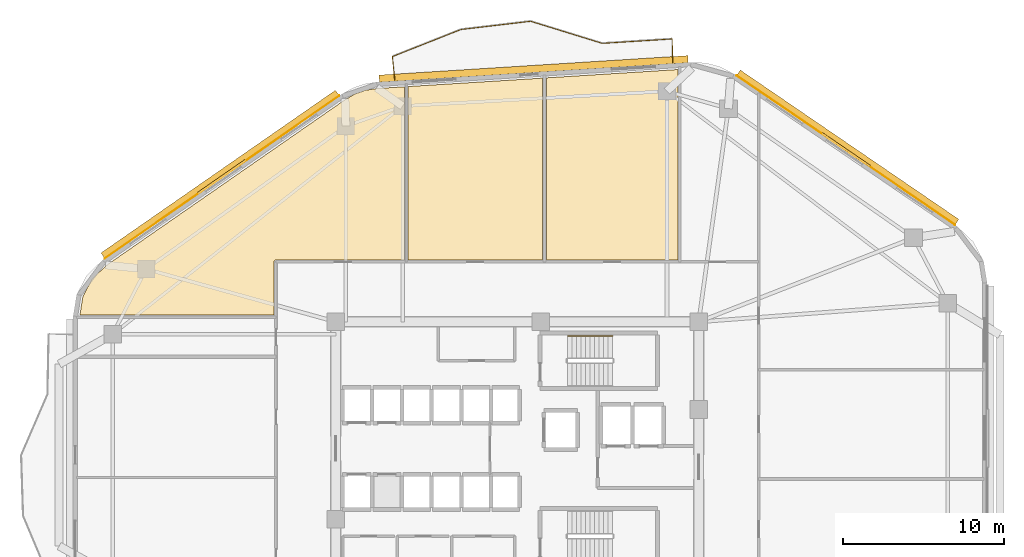
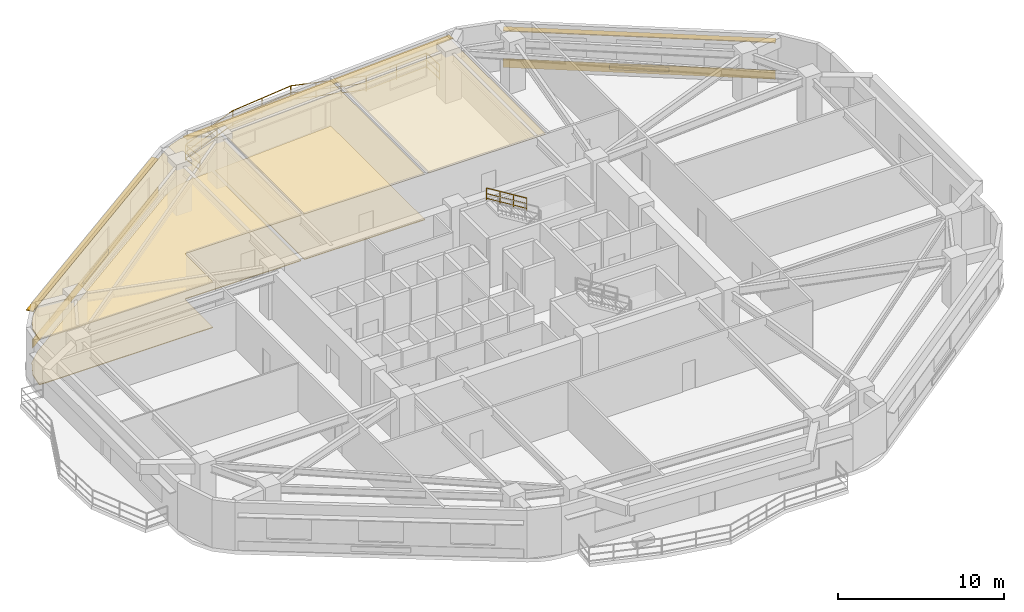
# One storey, part 9 of 10: 7 coverings, 7 railings, 5 shading devices.
"""IFC4 building model written with IfcOpenShell, lengths in metres."""

import ifcopenshell
import ifcopenshell.guid

model = None  # the IFC model being written
_history = None  # IfcOwnerHistory: only IFC2X3 demands one
_inside = {}  # id of a spatial element -> (the spatial element, [elements in it])
_under = {}  # id of a project, library or spatial element -> (it, [spatial elements below it])
_declared = {}  # id of a project -> (the project, [libraries it declares])
_typed = {}  # id of a type object -> (the type object, [elements of that type])
_made_of = {}  # id of a material, layer set ... -> (it, [elements and type objects made of it])


def new_model(schema):
    """Start an empty IFC model of exactly this schema.

    Asked for "IFC4X3", IfcOpenShell would pick the latest addendum, in which some entities
    have other attributes; the version numbers below select the first issue.
    IFC2X3 requires an IfcOwnerHistory on every rooted entity: one is made here for all.
    """
    global model, _history
    if schema == "IFC4X3":
        model = ifcopenshell.file(schema_version=(4, 3, 0, 0))
    else:
        model = ifcopenshell.file(schema=schema)
    _inside.clear()
    _under.clear()
    _declared.clear()
    _typed.clear()
    _made_of.clear()
    _history = None
    if model.schema == "IFC2X3":
        org = make("IfcOrganization", Name="unknown")
        user = make(
            "IfcPersonAndOrganization",
            ThePerson=make("IfcPerson", FamilyName="unknown"),
            TheOrganization=org,
        )
        app = make(
            "IfcApplication",
            ApplicationDeveloper=org,
            Version="unknown",
            ApplicationFullName="unknown",
            ApplicationIdentifier="unknown",
        )
        _history = make(
            "IfcOwnerHistory",
            OwningUser=user,
            OwningApplication=app,
            ChangeAction="ADDED",
            CreationDate=0,
        )
    return model


def make(cls, **values):
    """One entity of the class cls with the attributes given. An attribute that is None is left unset."""
    return model.create_entity(
        cls, **{name: value for name, value in values.items() if value is not None}
    )


def rooted(cls, **values):
    """An entity with a GlobalId (a new one), such as an element, a storey or a relation."""
    return make(cls, GlobalId=ifcopenshell.guid.new(), OwnerHistory=_history, **values)


def si_unit(unit_type, name, prefix=None):
    """IfcSIUnit, for example si_unit("LENGTHUNIT", "METRE", prefix="MILLI")."""
    return make("IfcSIUnit", UnitType=unit_type, Prefix=prefix, Name=name)


def assignment(units):
    """IfcUnitAssignment: the units of a project."""
    return None if units is None else make("IfcUnitAssignment", Units=units)


def point(xyz):
    """IfcCartesianPoint."""
    return None if xyz is None else make("IfcCartesianPoint", Coordinates=xyz)


def direction(xyz):
    """IfcDirection."""
    return None if xyz is None else make("IfcDirection", DirectionRatios=xyz)


def frame(location, z_axis=None, x_axis=None):
    """IfcAxis2Placement3D, a coordinate frame: its origin and axes. An axis left out is left unset."""
    return make(
        "IfcAxis2Placement3D",
        Location=point(location),
        Axis=direction(z_axis),
        RefDirection=direction(x_axis),
    )


def frame_2d(location, x_axis=None):
    """IfcAxis2Placement2D, a coordinate frame in the plane: its origin and x axis."""
    return make(
        "IfcAxis2Placement2D", Location=point(location), RefDirection=direction(x_axis)
    )


def origin():
    """The frame at (0, 0, 0) with its axes left unset."""
    return frame((0.0, 0.0, 0.0))


def origin_2d():
    """The frame at (0, 0) in the plane with its x axis left unset."""
    return frame_2d((0.0, 0.0))


def place(relative_to, where):
    """IfcLocalPlacement: puts the frame where relative to a parent placement (None: the world)."""
    return make(
        "IfcLocalPlacement", PlacementRelTo=relative_to, RelativePlacement=where
    )


def context(
    kind, dimensions, precision=None, world=None, true_north=None, identifier=None
):
    """IfcGeometricRepresentationContext, for example the 3D "Model" context."""
    return make(
        "IfcGeometricRepresentationContext",
        ContextIdentifier=identifier,
        ContextType=kind,
        CoordinateSpaceDimension=dimensions,
        Precision=precision,
        WorldCoordinateSystem=world,
        TrueNorth=true_north,
    )


def subcontext(parent, identifier, kind, view, scale=None):
    """IfcGeometricRepresentationSubContext, for example "Body" below "Model"."""
    return make(
        "IfcGeometricRepresentationSubContext",
        ContextIdentifier=identifier,
        ContextType=kind,
        ParentContext=parent,
        TargetScale=scale,
        TargetView=view,
    )


def project(units=None, contexts=None):
    """IfcProject with its units and contexts."""
    return rooted(
        "IfcProject",
        Name="project",
        RepresentationContexts=contexts,
        UnitsInContext=assignment(units),
    )


def spatial(cls, under=None, at=None, **own):
    """A site, building, storey or space (cls), placed at a placement, below another one or the project."""
    s = rooted(cls, ObjectPlacement=at, **own)
    if under is not None:
        _under.setdefault(under.id(), (under, []))[1].append(s)
    return s


def polyline(points):
    """IfcPolyline through the points."""
    return make("IfcPolyline", Points=[point(p) for p in points])


def profile(cls, at=None, kind="AREA", **sizes):
    """A parametric profile (cls). Its sizes go by their IFC names, for example OverallWidth=200.0."""
    return make(cls, ProfileType=kind, Position=at, **sizes)


def rectangle(**sizes):
    """IfcRectangleProfileDef."""
    return profile("IfcRectangleProfileDef", **sizes)


def outline(outer, holes=None, kind="AREA"):
    """IfcArbitraryClosedProfileDef: a profile drawn as a closed curve; with holes, ...WithVoids."""
    if holes is None:
        return make("IfcArbitraryClosedProfileDef", ProfileType=kind, OuterCurve=outer)
    return make(
        "IfcArbitraryProfileDefWithVoids",
        ProfileType=kind,
        OuterCurve=outer,
        InnerCurves=holes,
    )


def extrude(swept, where, along, depth):
    """IfcExtrudedAreaSolid: the profile swept, set in the frame where, extruded along a direction by depth."""
    return make(
        "IfcExtrudedAreaSolid",
        SweptArea=swept,
        Position=where,
        ExtrudedDirection=direction(along),
        Depth=depth,
    )


def shape(context_of_items, identifier, shape_type, items):
    """IfcShapeRepresentation: the items that make up one representation, for example the "Body"."""
    return make(
        "IfcShapeRepresentation",
        ContextOfItems=context_of_items,
        RepresentationIdentifier=identifier,
        RepresentationType=shape_type,
        Items=items,
    )


def material(Name=None, Category=None):
    """IfcMaterial."""
    return make("IfcMaterial", Name=Name, Category=Category)


def layer(
    of_material, thickness, ventilated=None, Name=None, Category=None, Priority=None
):
    """IfcMaterialLayer: one layer of a wall or slab, of a material (None: an air gap)."""
    return make(
        "IfcMaterialLayer",
        Material=of_material,
        LayerThickness=thickness,
        IsVentilated=ventilated,
        Name=Name,
        Category=Category,
        Priority=Priority,
    )


def layer_set(layers, Name=None):
    """IfcMaterialLayerSet."""
    return make("IfcMaterialLayerSet", MaterialLayers=layers, LayerSetName=Name)


def made_of(thing, what):
    """Note that an element or type object is made of a material, layer set ...; save() writes the relation."""
    if what is not None:
        _made_of.setdefault(what.id(), (what, []))[1].append(thing)
    return thing


def type_object(cls, material=None, **own):
    """A type object (cls), such as IfcWallType, which elements share."""
    return made_of(rooted(cls, **own), material)


def element(
    cls,
    number,
    at=None,
    inside=None,
    cuts=None,
    type_object=None,
    material=None,
    context=None,
    identifier="Body",
    shape_type=None,
    held_by="IfcProductDefinitionShape",
    body=None,
    shapes=None,
    **own,
):
    """One element of the class cls, such as IfcWall. Its Tag is "e" and its number.

    at: its placement. inside: the storey or other place that contains it. cuts: it is an
    opening in that element (IfcRelVoidsElement). A single representation is given by context,
    identifier, shape_type and body (its items); several are given by shapes. held_by: the class
    of the entity that holds the representations. save() writes the other relations.
    """
    e = rooted(cls, Tag="e%d" % number, ObjectPlacement=at, **own)
    if body is not None:
        shapes = [shape(context, identifier, shape_type, body)]
    if shapes is not None:
        e.Representation = make(held_by, Representations=shapes)
    if inside is not None:
        _inside.setdefault(inside.id(), (inside, []))[1].append(e)
    if cuts is not None:
        rooted(
            "IfcRelVoidsElement", RelatingBuildingElement=cuts, RelatedOpeningElement=e
        )
    if type_object is not None:
        _typed.setdefault(type_object.id(), (type_object, []))[1].append(e)
    return made_of(e, material)


def aggregate(whole, parts):
    """IfcRelAggregates: a whole, such as a stair, and the parts it consists of."""
    return rooted("IfcRelAggregates", RelatingObject=whole, RelatedObjects=parts)


def save(model, path):
    """Write the relations noted so far, then the file.

    IfcRelAggregates (storeys below a building ...), IfcRelContainedInSpatialStructure (elements
    in a storey), IfcRelDefinesByType, IfcRelAssociatesMaterial and IfcRelDeclares: one each for
    every whole, place, type object, material and project.
    """
    for whole, parts in _under.values():
        aggregate(whole, parts)
    for where, things in _inside.values():
        rooted(
            "IfcRelContainedInSpatialStructure",
            RelatedElements=things,
            RelatingStructure=where,
        )
    for kind, things in _typed.values():
        rooted("IfcRelDefinesByType", RelatedObjects=things, RelatingType=kind)
    for what, things in _made_of.values():
        rooted("IfcRelAssociatesMaterial", RelatedObjects=things, RelatingMaterial=what)
    for by, libraries in _declared.values():
        rooted("IfcRelDeclares", RelatingContext=by, RelatedDefinitions=libraries)
    model.write(path)


model = new_model("IFC4")

# Units and contexts
model_context = context("Model", 3, precision=1e-05, world=origin(), true_north=direction((0.0, 1.0)))
body_context = subcontext(model_context, "Body", "Model", "MODEL_VIEW")
ifc_project = project(units=[si_unit("LENGTHUNIT", "METRE"), si_unit("AREAUNIT", "SQUARE_METRE"), si_unit("VOLUMEUNIT", "CUBIC_METRE"), si_unit("PLANEANGLEUNIT", "RADIAN"), si_unit("MASSUNIT", "GRAM", prefix="KILO")], contexts=[model_context])

# Site, building, storey
site_placement = place(None, origin())
site = spatial("IfcSite", under=ifc_project, at=site_placement, CompositionType="ELEMENT")
building_placement = place(site_placement, origin())
building = spatial("IfcBuilding", under=site, at=building_placement, Name="Zulverin Broadcast Headquarters", CompositionType="ELEMENT")
storey_placement = place(building_placement, frame((0.0, 0.0, 97.199951171875)))
storey = spatial("IfcBuildingStorey", under=building, at=storey_placement, Name="L24", CompositionType="ELEMENT", Elevation=97.199951171875)

# Coverings
ifc_material_1 = material(Name="Perforated pale-metal acoustic baffle ceiling", Category="aluminium")
ifc_layer_1 = layer(ifc_material_1, 0.0400390625, Name="Perforated pale-metal acoustic baffle ceiling", Category="aluminium")
ifc_layer_set_1 = layer_set([ifc_layer_1], Name="Perforated pale-metal acoustic baffle ceiling")
covering_type_1 = type_object("IfcCoveringType", Name="COV-CEIL-ACOU", PredefinedType="CEILING", material=ifc_layer_set_1)
covering_1_placement = place(storey_placement, frame((0.0, 0.0, 3.344970703125)))
element("IfcCovering", 1, at=covering_1_placement, inside=storey, type_object=covering_type_1, Name="L24 Acoustic Baffle Ceiling 01", PredefinedType="CEILING", context=body_context, shape_type="SweptSolid", body=[
    extrude(outline(polyline([(11.4599609375, 36.583984375), (10.56005859375, 35.719970703125), (10.0, 34.639892578125), (9.81591796875, 33.5), (21.8798828125, 33.5), (21.8798828125, 36.800048828125), (21.8798828125, 36.81201171875), (21.884033203125, 36.823974609375), (21.884033203125, 36.8359375), (21.887939453125, 36.843994140625), (21.89599609375, 36.85595703125), (21.89990234375, 36.867919921875), (21.907958984375, 36.8759765625), (21.916015625, 36.884033203125), (21.924072265625, 36.89208984375), (21.931884765625, 36.89990234375), (21.944091796875, 36.904052734375), (21.9560546875, 36.912109375), (21.964111328125, 36.916015625), (21.97607421875, 36.916015625), (21.988037109375, 36.919921875), (22.0, 36.919921875), (29.97998046875, 36.919921875), (29.97998046875, 47.68408203125), (28.27587890625, 47.575927734375), (27.575927734375, 47.468017578125), (26.927978515625, 47.243896484375), (26.31591796875, 46.89599609375), (11.4599609375, 36.583984375)])), origin(), (0.0, 0.0, 1.0), 0.0400390625),
])
covering_2_placement = place(storey_placement, frame((0.0, 0.0, 3.344970703125)))
element("IfcCovering", 2, at=covering_2_placement, inside=storey, type_object=covering_type_1, Name="L24 Acoustic Baffle Ceiling 02", PredefinedType="CEILING", context=body_context, shape_type="SweptSolid", body=[
    extrude(outline(polyline([(38.580078125, 36.919921875), (38.580078125, 48.22412109375), (30.219970703125, 47.699951171875), (30.219970703125, 36.919921875), (38.580078125, 36.919921875)])), origin(), (0.0, 0.0, 1.0), 0.0400390625),
])
covering_3_placement = place(storey_placement, frame((0.0, 0.0, 3.344970703125)))
element("IfcCovering", 3, at=covering_3_placement, inside=storey, type_object=covering_type_1, Name="L24 Acoustic Baffle Ceiling 03", PredefinedType="CEILING", context=body_context, shape_type="SweptSolid", body=[
    extrude(outline(polyline([(46.97998046875, 36.919921875), (46.97998046875, 48.756103515625), (38.820068359375, 48.239990234375), (38.820068359375, 36.919921875), (46.97998046875, 36.919921875)])), origin(), (0.0, 0.0, 1.0), 0.0400390625),
])
ifc_material_2 = material(Name="Brushed pale-aluminium rainscreen cladding", Category="aluminium")
ifc_layer_2 = layer(ifc_material_2, 0.0400390625, Name="Brushed pale-aluminium rainscreen cladding", Category="aluminium")
ifc_layer_set_2 = layer_set([ifc_layer_2], Name="Brushed pale-aluminium rainscreen cladding")
covering_type_2 = type_object("IfcCoveringType", Name="COV-CLAD-PALE", PredefinedType="CLADDING", material=ifc_layer_set_2)
covering_4_placement = place(storey_placement, frame((57.418212890625, 43.742431640625, 0.05517578125), z_axis=(0.0, 0.0, 1.0), x_axis=(-0.825756855157, 0.564026254851, 0.0)))
element("IfcCovering", 4, at=covering_4_placement, inside=storey, type_object=covering_type_2, Name="L24 Brushed Pale-Aluminium Spandrel Cladding 4", PredefinedType="CLADDING", context=body_context, shape_type="SweptSolid", body=[
    extrude(rectangle(XDim=16.4482421875, YDim=0.0400390625, at=origin_2d()), origin(), (0.0, 0.0, 1.0), 0.64990234375),
])
covering_5_placement = place(storey_placement, frame((18.648193359375, 42.072021484375, 0.05517578125), z_axis=(0.0, 0.0, 1.0), x_axis=(-0.821556397865, -0.57012725345, 0.0)))
element("IfcCovering", 5, at=covering_5_placement, inside=storey, type_object=covering_type_2, Name="L24 Brushed Pale-Aluminium Spandrel Cladding 6", PredefinedType="CLADDING", context=body_context, shape_type="SweptSolid", body=[
    extrude(rectangle(XDim=17.732421875, YDim=0.0400390625, at=origin_2d()), origin(), (0.0, 0.0, 1.0), 0.64990234375),
])
ifc_material_3 = material(Name="Anti-static broadcast raised access flooring", Category="stone")
ifc_layer_3 = layer(ifc_material_3, 0.050048828125, Name="Anti-static broadcast raised access flooring", Category="stone")
ifc_layer_set_3 = layer_set([ifc_layer_3], Name="Anti-static broadcast raised access flooring")
covering_type_3 = type_object("IfcCoveringType", Name="COV-FLR-RAISED", PredefinedType="FLOORING", material=ifc_layer_set_3)
covering_6_placement = place(storey_placement, origin())
element("IfcCovering", 6, at=covering_6_placement, inside=storey, type_object=covering_type_3, Name="L24 Broadcast Raised Access Flooring 01", PredefinedType="FLOORING", context=body_context, shape_type="SweptSolid", body=[
    extrude(outline(polyline([(11.4599609375, 36.583984375), (10.56005859375, 35.719970703125), (10.0, 34.639892578125), (9.81591796875, 33.5), (21.8798828125, 33.5), (21.8798828125, 36.800048828125), (21.8798828125, 36.81201171875), (21.884033203125, 36.823974609375), (21.884033203125, 36.8359375), (21.887939453125, 36.843994140625), (21.89599609375, 36.85595703125), (21.89990234375, 36.867919921875), (21.907958984375, 36.8759765625), (21.916015625, 36.884033203125), (21.924072265625, 36.89208984375), (21.931884765625, 36.89990234375), (21.944091796875, 36.904052734375), (21.9560546875, 36.912109375), (21.964111328125, 36.916015625), (21.97607421875, 36.916015625), (21.988037109375, 36.919921875), (22.0, 36.919921875), (29.97998046875, 36.919921875), (29.97998046875, 47.68408203125), (28.27587890625, 47.575927734375), (27.575927734375, 47.468017578125), (26.927978515625, 47.243896484375), (26.31591796875, 46.89599609375), (11.4599609375, 36.583984375)])), origin(), (0.0, 0.0, 1.0), 0.050048828125),
])
covering_7_placement = place(storey_placement, origin())
element("IfcCovering", 7, at=covering_7_placement, inside=storey, type_object=covering_type_3, Name="L24 Broadcast Raised Access Flooring 02", PredefinedType="FLOORING", context=body_context, shape_type="SweptSolid", body=[
    extrude(outline(polyline([(38.580078125, 36.919921875), (38.580078125, 48.22412109375), (30.219970703125, 47.699951171875), (30.219970703125, 36.919921875), (38.580078125, 36.919921875)])), origin(), (0.0, 0.0, 1.0), 0.050048828125),
])

# Railings
ifc_material_4 = material(Name="Brushed stainless steel & laminated glass balustrade", Category="steel")
railing_type_1 = type_object("IfcRailingType", Name="RL-GUARD-1150", PredefinedType="GUARDRAIL", material=ifc_material_4)
railing_1_placement = place(storey_placement, frame((46.662841796875, 49.176025390625, 0.0)))
element("IfcRailing", 8, at=railing_1_placement, inside=storey, type_object=railing_type_1, Name="L24 Vertical-Forest Balcony Guardrail BAL_N Segment 01", PredefinedType="GUARDRAIL", context=body_context, shape_type="SweptSolid", body=[
    extrude(rectangle(XDim=0.048095703125, YDim=0.048095703125, at=origin_2d()), frame((0.0, 0.0, 1.1259765625), z_axis=(-0.022479328211, 0.999747307975, 0.0), x_axis=(-0.999747307975, -0.022479328211, 0.0)), (0.0, 0.0, 1.0), 1.46630859375),
    extrude(rectangle(XDim=0.0419921875, YDim=0.0419921875, at=origin_2d()), frame((0.0, 0.0, 0.597900390625), z_axis=(-0.022479328211, 0.999747307975, 0.0), x_axis=(-0.999747307975, -0.022479328211, 0.0)), (0.0, 0.0, 1.0), 1.46630859375),
    extrude(rectangle(XDim=0.0419921875, YDim=0.0419921875, at=origin_2d()), frame((0.0, 0.0, 0.1201171875), z_axis=(-0.022479328211, 0.999747307975, 0.0), x_axis=(-0.999747307975, -0.022479328211, 0.0)), (0.0, 0.0, 1.0), 1.46630859375),
    extrude(rectangle(XDim=0.0419921875, YDim=0.0419921875, at=origin_2d()), origin(), (0.0, 0.0, 1.0), 1.101806640625),
    extrude(rectangle(XDim=0.0419921875, YDim=0.0419921875, at=origin_2d()), frame((-0.032958984375, 1.4658203125, 0.0)), (0.0, 0.0, 1.0), 1.101806640625),
])
railing_2_placement = place(storey_placement, frame((46.614501953125, 50.656005859375, 0.0)))
element("IfcRailing", 9, at=railing_2_placement, inside=storey, type_object=railing_type_1, Name="L24 Vertical-Forest Balcony Guardrail BAL_N Segment 02", PredefinedType="GUARDRAIL", context=body_context, shape_type="SweptSolid", body=[
    extrude(rectangle(XDim=0.048095703125, YDim=0.048095703125, at=origin_2d()), frame((0.0, 0.0, 1.1259765625), z_axis=(-0.998015967654, -0.062961323906, 0.0), x_axis=(0.062961323906, -0.998015967654, 0.0)), (0.0, 0.0, 1.0), 4.327392578125),
    extrude(rectangle(XDim=0.0419921875, YDim=0.0419921875, at=origin_2d()), frame((0.0, 0.0, 0.597900390625), z_axis=(-0.998015967654, -0.062961323906, 0.0), x_axis=(0.062961323906, -0.998015967654, 0.0)), (0.0, 0.0, 1.0), 4.327392578125),
    extrude(rectangle(XDim=0.0419921875, YDim=0.0419921875, at=origin_2d()), frame((0.0, 0.0, 0.1201171875), z_axis=(-0.998015967654, -0.062961323906, 0.0), x_axis=(0.062961323906, -0.998015967654, 0.0)), (0.0, 0.0, 1.0), 4.327392578125),
    extrude(rectangle(XDim=0.0419921875, YDim=0.0419921875, at=origin_2d()), origin(), (0.0, 0.0, 1.0), 1.101806640625),
    extrude(rectangle(XDim=0.0419921875, YDim=0.0419921875, at=origin_2d()), frame((-2.159423828125, -0.13623046875, 0.0)), (0.0, 0.0, 1.0), 1.101806640625),
    extrude(rectangle(XDim=0.0419921875, YDim=0.0419921875, at=origin_2d()), frame((-4.31884765625, -0.2724609375, 0.0)), (0.0, 0.0, 1.0), 1.101806640625),
])
railing_3_placement = place(storey_placement, frame((42.266357421875, 50.38720703125, 0.0)))
element("IfcRailing", 10, at=railing_3_placement, inside=storey, type_object=railing_type_1, Name="L24 Vertical-Forest Balcony Guardrail BAL_N Segment 03", PredefinedType="GUARDRAIL", context=body_context, shape_type="SweptSolid", body=[
    extrude(rectangle(XDim=0.048095703125, YDim=0.048095703125, at=origin_2d()), frame((0.0, 0.0, 1.1259765625), z_axis=(-0.955636357772, 0.29454906502, 0.0), x_axis=(-0.29454906502, -0.955636357772, 0.0)), (0.0, 0.0, 1.0), 4.629150390625),
    extrude(rectangle(XDim=0.0419921875, YDim=0.0419921875, at=origin_2d()), frame((0.0, 0.0, 0.597900390625), z_axis=(-0.955636357772, 0.29454906502, 0.0), x_axis=(-0.29454906502, -0.955636357772, 0.0)), (0.0, 0.0, 1.0), 4.629150390625),
    extrude(rectangle(XDim=0.0419921875, YDim=0.0419921875, at=origin_2d()), frame((0.0, 0.0, 0.1201171875), z_axis=(-0.955636357772, 0.29454906502, 0.0), x_axis=(-0.29454906502, -0.955636357772, 0.0)), (0.0, 0.0, 1.0), 4.629150390625),
    extrude(rectangle(XDim=0.0419921875, YDim=0.0419921875, at=origin_2d()), origin(), (0.0, 0.0, 1.0), 1.101806640625),
    extrude(rectangle(XDim=0.0419921875, YDim=0.0419921875, at=origin_2d()), frame((-1.474609375, 0.45458984375, 0.0)), (0.0, 0.0, 1.0), 1.101806640625),
    extrude(rectangle(XDim=0.0419921875, YDim=0.0419921875, at=origin_2d()), frame((-2.94921875, 0.908935546875, 0.0)), (0.0, 0.0, 1.0), 1.101806640625),
    extrude(rectangle(XDim=0.0419921875, YDim=0.0419921875, at=origin_2d()), frame((-4.423828125, 1.363525390625, 0.0)), (0.0, 0.0, 1.0), 1.101806640625),
])
railing_4_placement = place(storey_placement, frame((37.813232421875, 51.75341796875, 0.0)))
element("IfcRailing", 11, at=railing_4_placement, inside=storey, type_object=railing_type_1, Name="L24 Vertical-Forest Balcony Guardrail BAL_N Segment 04", PredefinedType="GUARDRAIL", context=body_context, shape_type="SweptSolid", body=[
    extrude(rectangle(XDim=0.048095703125, YDim=0.048095703125, at=origin_2d()), frame((0.0, 0.0, 1.1259765625), z_axis=(-0.993091646174, -0.11734130688, 0.0), x_axis=(0.11734130688, -0.993091646174, 0.0)), (0.0, 0.0, 1.0), 4.333984375),
    extrude(rectangle(XDim=0.0419921875, YDim=0.0419921875, at=origin_2d()), frame((0.0, 0.0, 0.597900390625), z_axis=(-0.993091646174, -0.11734130688, 0.0), x_axis=(0.11734130688, -0.993091646174, 0.0)), (0.0, 0.0, 1.0), 4.333984375),
    extrude(rectangle(XDim=0.0419921875, YDim=0.0419921875, at=origin_2d()), frame((0.0, 0.0, 0.1201171875), z_axis=(-0.993091646174, -0.11734130688, 0.0), x_axis=(0.11734130688, -0.993091646174, 0.0)), (0.0, 0.0, 1.0), 4.333984375),
    extrude(rectangle(XDim=0.0419921875, YDim=0.0419921875, at=origin_2d()), origin(), (0.0, 0.0, 1.0), 1.101806640625),
    extrude(rectangle(XDim=0.0419921875, YDim=0.0419921875, at=origin_2d()), frame((-2.15185546875, -0.25439453125, 0.0)), (0.0, 0.0, 1.0), 1.101806640625),
    extrude(rectangle(XDim=0.0419921875, YDim=0.0419921875, at=origin_2d()), frame((-4.303955078125, -0.508544921875, 0.0)), (0.0, 0.0, 1.0), 1.101806640625),
])
railing_5_placement = place(storey_placement, frame((33.48046875, 51.237548828125, 0.0)))
element("IfcRailing", 12, at=railing_5_placement, inside=storey, type_object=railing_type_1, Name="L24 Vertical-Forest Balcony Guardrail BAL_N Segment 05", PredefinedType="GUARDRAIL", context=body_context, shape_type="SweptSolid", body=[
    extrude(rectangle(XDim=0.048095703125, YDim=0.048095703125, at=origin_2d()), frame((0.0, 0.0, 1.1259765625), z_axis=(-0.930033653867, -0.367474356486, 0.0), x_axis=(0.367474356486, -0.930033653867, 0.0)), (0.0, 0.0, 1.0), 4.55029296875),
    extrude(rectangle(XDim=0.0419921875, YDim=0.0419921875, at=origin_2d()), frame((0.0, 0.0, 0.597900390625), z_axis=(-0.930033653867, -0.367474356486, 0.0), x_axis=(0.367474356486, -0.930033653867, 0.0)), (0.0, 0.0, 1.0), 4.55029296875),
    extrude(rectangle(XDim=0.0419921875, YDim=0.0419921875, at=origin_2d()), frame((0.0, 0.0, 0.1201171875), z_axis=(-0.930033653867, -0.367474356486, 0.0), x_axis=(0.367474356486, -0.930033653867, 0.0)), (0.0, 0.0, 1.0), 4.55029296875),
    extrude(rectangle(XDim=0.0419921875, YDim=0.0419921875, at=origin_2d()), origin(), (0.0, 0.0, 1.0), 1.101806640625),
    extrude(rectangle(XDim=0.0419921875, YDim=0.0419921875, at=origin_2d()), frame((-1.41064453125, -0.557373046875, 0.0)), (0.0, 0.0, 1.0), 1.101806640625),
    extrude(rectangle(XDim=0.0419921875, YDim=0.0419921875, at=origin_2d()), frame((-2.8212890625, -1.11474609375, 0.0)), (0.0, 0.0, 1.0), 1.101806640625),
    extrude(rectangle(XDim=0.0419921875, YDim=0.0419921875, at=origin_2d()), frame((-4.23193359375, -1.672119140625, 0.0)), (0.0, 0.0, 1.0), 1.101806640625),
])
railing_6_placement = place(storey_placement, frame((29.236083984375, 49.545166015625, 0.0)))
element("IfcRailing", 13, at=railing_6_placement, inside=storey, type_object=railing_type_1, Name="L24 Vertical-Forest Balcony Guardrail BAL_N Segment 06", PredefinedType="GUARDRAIL", context=body_context, shape_type="SweptSolid", body=[
    extrude(rectangle(XDim=0.048095703125, YDim=0.048095703125, at=origin_2d()), frame((0.0, 0.0, 1.1259765625), z_axis=(0.103393334431, -0.994640547331, 0.0), x_axis=(0.994640547331, 0.103393334431, 0.0)), (0.0, 0.0, 1.0), 1.46630859375),
    extrude(rectangle(XDim=0.0419921875, YDim=0.0419921875, at=origin_2d()), frame((0.0, 0.0, 0.597900390625), z_axis=(0.103393334431, -0.994640547331, 0.0), x_axis=(0.994640547331, 0.103393334431, 0.0)), (0.0, 0.0, 1.0), 1.46630859375),
    extrude(rectangle(XDim=0.0419921875, YDim=0.0419921875, at=origin_2d()), frame((0.0, 0.0, 0.1201171875), z_axis=(0.103393334431, -0.994640547331, 0.0), x_axis=(0.994640547331, 0.103393334431, 0.0)), (0.0, 0.0, 1.0), 1.46630859375),
    extrude(rectangle(XDim=0.0419921875, YDim=0.0419921875, at=origin_2d()), origin(), (0.0, 0.0, 1.0), 1.101806640625),
    extrude(rectangle(XDim=0.0419921875, YDim=0.0419921875, at=origin_2d()), frame((0.151611328125, -1.45849609375, 0.0)), (0.0, 0.0, 1.0), 1.101806640625),
])
ifc_material_5 = material(Name="Brushed stainless steel 48 mm handrail", Category="steel")
railing_type_2 = type_object("IfcRailingType", Name="RL-ST-HAND", PredefinedType="HANDRAIL", material=ifc_material_5)
railing_7_placement = place(storey_placement, frame((42.929931640625, 32.199951171875, 2.07275390625)))
element("IfcRailing", 14, at=railing_7_placement, inside=storey, type_object=railing_type_2, Name="L24 ST-1 stair handrail 2", PredefinedType="HANDRAIL", context=body_context, shape_type="SweptSolid", body=[
    extrude(rectangle(XDim=0.048095703125, YDim=0.048095703125, at=origin_2d()), frame((0.0, 0.0, 0.8759765625), z_axis=(-0.851089632645, 0.0, 0.525020415988), x_axis=(0.0, -1.0, 0.0)), (0.0, 0.0, 1.0), 3.2900390625),
    extrude(rectangle(XDim=0.0419921875, YDim=0.0419921875, at=origin_2d()), frame((0.0, 0.0, 0.468017578125), z_axis=(-0.851089632645, 0.0, 0.525020415988), x_axis=(0.0, -1.0, 0.0)), (0.0, 0.0, 1.0), 3.2900390625),
    extrude(rectangle(XDim=0.0419921875, YDim=0.0419921875, at=origin_2d()), frame((0.0, 0.0, 0.1201171875), z_axis=(-0.851089632645, 0.0, 0.525020415988), x_axis=(0.0, -1.0, 0.0)), (0.0, 0.0, 1.0), 3.2900390625),
    extrude(rectangle(XDim=0.0419921875, YDim=0.0419921875, at=origin_2d()), origin(), (0.0, 0.0, 1.0), 0.851806640625),
    extrude(rectangle(XDim=0.0419921875, YDim=0.0419921875, at=origin_2d()), frame((-0.933349609375, 0.0, 0.57568359375)), (0.0, 0.0, 1.0), 0.851806640625),
    extrude(rectangle(XDim=0.0419921875, YDim=0.0419921875, at=origin_2d()), frame((-1.86669921875, 0.0, 1.151611328125)), (0.0, 0.0, 1.0), 0.851806640625),
    extrude(rectangle(XDim=0.0419921875, YDim=0.0419921875, at=origin_2d()), frame((-2.800048828125, 0.0, 1.727294921875)), (0.0, 0.0, 1.0), 0.851806640625),
])

# Shading devices
ifc_material_6 = material(Name="Anodized pale-metal aluminium acoustic louvre", Category="aluminium")
shading_device_type_1 = type_object("IfcShadingDeviceType", Name="SHD-LOUVRE-350", PredefinedType="USERDEFINED", material=ifc_material_6)
for number, where, z_axis, x_axis, name in (
    (15, (57.435302734375, 43.76708984375, 0.2451171875), (0.0, 0.0, 1.0), (-0.825756855157, 0.564026254851, 0.0), "L24 Spandrel Intake Louvre 4"),
    (16, (18.631103515625, 42.0966796875, 0.2451171875), (0.0, 0.0, 1.0), (-0.821556397865, -0.57012725345, 0.0), "L24 Spandrel Intake Louvre 6"),
):
    element("IfcShadingDevice", number, at=place(storey_placement, frame(where, z_axis=z_axis, x_axis=x_axis)), inside=storey, type_object=shading_device_type_1, Name=name, ObjectType="LOUVRE", PredefinedType="USERDEFINED", context=body_context, shape_type="SweptSolid", body=[
        extrude(rectangle(XDim=3.60009765625, YDim=0.1201171875, at=origin_2d()), origin(), (0.0, 0.0, 1.0), 0.35009765625),
    ])
ifc_material_7 = material(Name="Anodized pale-metal aluminium sunshade", Category="aluminium")
ifc_layer_4 = layer(ifc_material_7, 0.06005859375, Name="Anodized pale-metal aluminium sunshade", Category="aluminium")
ifc_layer_set_4 = layer_set([ifc_layer_4], Name="Anodized pale-metal aluminium sunshade")
shading_device_type_2 = type_object("IfcShadingDeviceType", Name="SS-01_PALE_METAL_ALUMINIUM_SUNSHADE", PredefinedType="USERDEFINED", material=ifc_layer_set_4)
shading_device_1_placement = place(storey_placement, frame((57.525390625, 43.8994140625, 2.7099609375), z_axis=(0.0, 0.0, 1.0), x_axis=(-0.825756855157, 0.564026254851, 0.0)))
element("IfcShadingDevice", 17, at=shading_device_1_placement, inside=storey, type_object=shading_device_type_2, Name="L24 Horizontal Pale-Metal Sunshade Band 4", ObjectType="SUNSHADE", PredefinedType="USERDEFINED", context=body_context, shape_type="SweptSolid", body=[
    extrude(rectangle(XDim=16.4482421875, YDim=0.449951171875, at=origin_2d()), origin(), (0.0, 0.0, 1.0), 0.06005859375),
])
shading_device_2_placement = place(storey_placement, frame((38.01513671875, 48.791015625, 2.7099609375), z_axis=(0.0, 0.0, 1.0), x_axis=(-0.998017621976, -0.062935095345, 0.0)))
element("IfcShadingDevice", 18, at=shading_device_2_placement, inside=storey, type_object=shading_device_type_2, Name="L24 Horizontal Pale-Metal Sunshade Band 5", ObjectType="SUNSHADE", PredefinedType="USERDEFINED", context=body_context, shape_type="SweptSolid", body=[
    extrude(rectangle(XDim=19.2294921875, YDim=0.449951171875, at=origin_2d()), origin(), (0.0, 0.0, 1.0), 0.06005859375),
])
shading_device_3_placement = place(storey_placement, frame((18.539794921875, 42.22802734375, 2.7099609375), z_axis=(0.0, 0.0, 1.0), x_axis=(-0.821556397865, -0.57012725345, 0.0)))
element("IfcShadingDevice", 19, at=shading_device_3_placement, inside=storey, type_object=shading_device_type_2, Name="L24 Horizontal Pale-Metal Sunshade Band 6", ObjectType="SUNSHADE", PredefinedType="USERDEFINED", context=body_context, shape_type="SweptSolid", body=[
    extrude(rectangle(XDim=17.732421875, YDim=0.449951171875, at=origin_2d()), origin(), (0.0, 0.0, 1.0), 0.06005859375),
])

save(model, "model.ifc")
